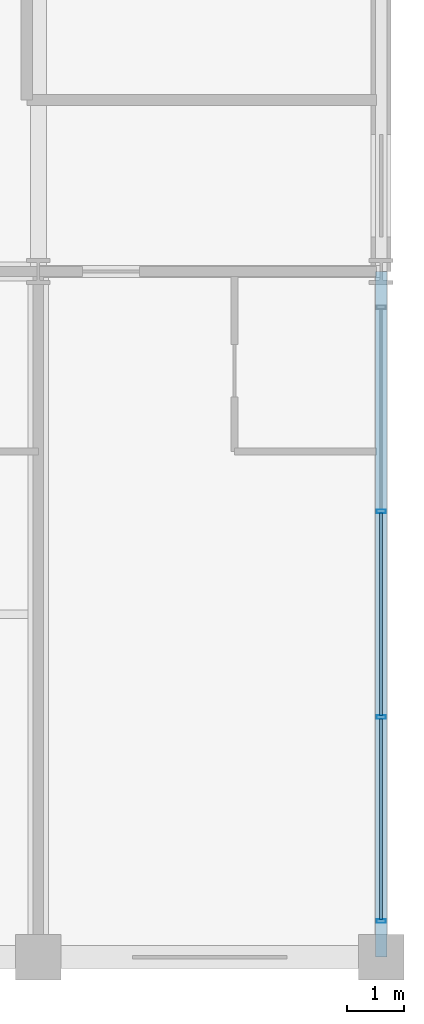
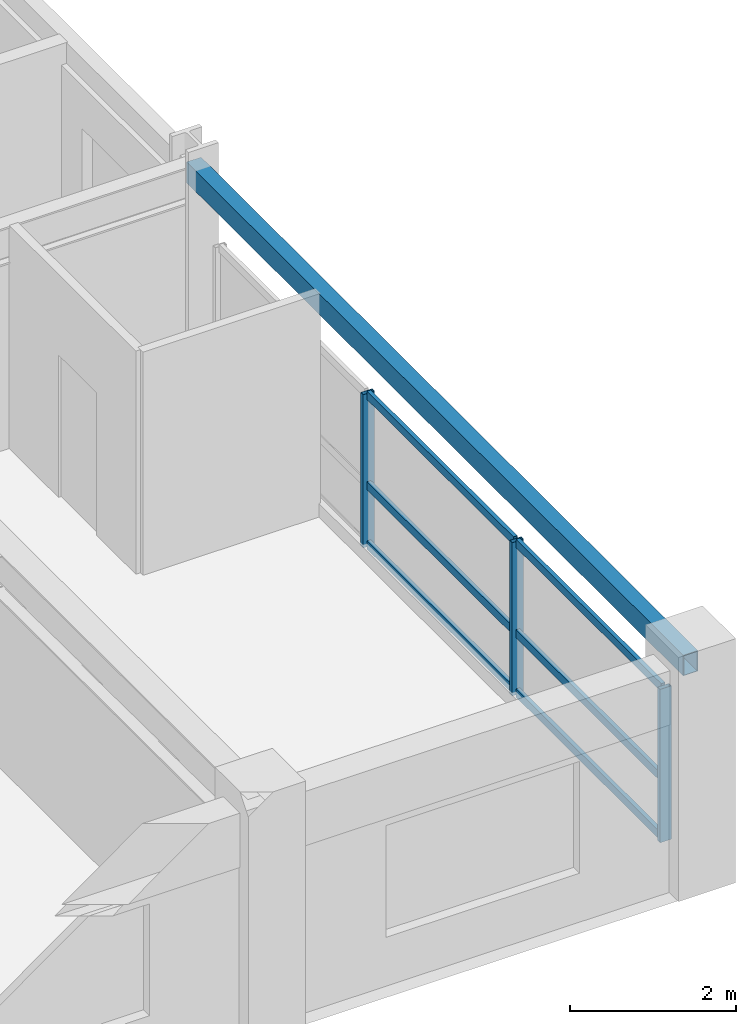
# One storey, part 10 of 26: 9 members, 1 beam, 1 element without a shape of its own.
"""IFC4 building model written with IfcOpenShell, lengths in metres."""

from ifc_helpers import new_model, si_unit, direction, frame, origin, origin_2d, place, context, subcontext, project, spatial, hollow_rectangle, extrude, material, material_profile, profile_set, type_object, element, aggregate, save


model = new_model("IFC4")

# Units and contexts
model_context = context("Model", 3, precision=1e-05, world=origin(), true_north=direction((0.0, 1.0)))
body_context = subcontext(model_context, "Body", "Model", "MODEL_VIEW")
ifc_project = project(units=[si_unit("LENGTHUNIT", "METRE"), si_unit("AREAUNIT", "SQUARE_METRE"), si_unit("VOLUMEUNIT", "CUBIC_METRE"), si_unit("PLANEANGLEUNIT", "RADIAN"), si_unit("MASSUNIT", "GRAM", prefix="KILO")], contexts=[model_context])

# Site, building, storey
site_placement = place(None, origin())
site = spatial("IfcSite", under=ifc_project, at=site_placement, CompositionType="ELEMENT")
building_placement = place(site_placement, origin())
building = spatial("IfcBuilding", under=site, at=building_placement, Name="Kaldorvane Square Convention Centre", CompositionType="ELEMENT")
storey_placement = place(building_placement, frame((0.0, 0.0, 42.0)))
storey = spatial("IfcBuildingStorey", under=building, at=storey_placement, Name="L09", CompositionType="ELEMENT", Elevation=42.0)

# Beam
ifc_material_1 = material(Name="Steel ASTM A500 Gr. C", Category="steel")
ifc_material_profile_1 = material_profile(ifc_material_1, hollow_rectangle(XDim=0.2032012939453125, YDim=0.3047943115234375, WallThickness=0.0088958740234375, at=origin_2d()), Name="HSS12X8X3/8")
ifc_profile_set_1 = profile_set([ifc_material_profile_1], Name="Steel ASTM A500 Gr. C")
beam_type = type_object("IfcBeamType", Name="BM-SP-HSS12", PredefinedType="SPANDREL", material=ifc_profile_set_1)
beam_placement = place(storey_placement, frame((84.0, 84.0, 3.13360595703125), z_axis=(0.0, 1.0, 0.0), x_axis=(-1.0, 0.0, 0.0)))
element("IfcBeam", 1, at=beam_placement, inside=storey, type_object=beam_type, Name="End Spandrel (L09)", PredefinedType="SPANDREL", context=body_context, shape_type="SweptSolid", body=[
    extrude(hollow_rectangle(XDim=0.2032012939453125, YDim=0.3047943115234375, WallThickness=0.0088958740234375, at=origin_2d()), origin(), (0.0, 0.0, 1.0), 12.0),
])

# Curtain wall, members
ifc_material_2 = material(Name="Anodized Aluminum and Low-E Insulated Glazing", Category="aluminium")
curtain_wall_type = type_object("IfcCurtainWallType", Name="CW-UNI-HTL-A", PredefinedType="USERDEFINED", material=ifc_material_2)
curtain_wall_placement = place(storey_placement, origin())
curtain_wall = element("IfcCurtainWall", 2, at=curtain_wall_placement, inside=storey, type_object=curtain_wall_type, Name="Curtain Wall CW-10 (L09)", ObjectType="UNITISED GLAZING", PredefinedType="USERDEFINED")
ifc_material_profile_2 = material_profile(ifc_material_2, hollow_rectangle(XDim=0.05999755859375, YDim=0.160003662109375, WallThickness=0.003204345703125, at=origin_2d()), Name="CWM-160X60")
ifc_profile_set_2 = profile_set([ifc_material_profile_2], Name="Anodized Aluminum and Low-E Insulated Glazing")
member_type_1 = type_object("IfcMemberType", Name="CW-MUL-160", PredefinedType="MULLION", material=ifc_profile_set_2)
member_1_placement = place(storey_placement, frame((84.0, 84.6300048828125, 0.149993896484375), z_axis=(0.0, 0.0, 1.0), x_axis=(0.0, 1.0, 0.0)))
member_1 = element("IfcMember", 3, at=member_1_placement, type_object=member_type_1, Name="CW-10 mullion 1", PredefinedType="MULLION", context=body_context, shape_type="SweptSolid", body=[
    extrude(hollow_rectangle(XDim=0.05999755859375, YDim=0.160003662109375, WallThickness=0.003204345703125, at=origin_2d()), origin(), (0.0, 0.0, 1.0), 2.260009765625),
])
member_2_placement = place(storey_placement, frame((84.0, 88.19999694824219, 0.149993896484375), z_axis=(0.0, 0.0, 1.0), x_axis=(0.0, 1.0, 0.0)))
member_2 = element("IfcMember", 4, at=member_2_placement, type_object=member_type_1, Name="CW-10 mullion 2", PredefinedType="MULLION", context=body_context, shape_type="SweptSolid", body=[
    extrude(hollow_rectangle(XDim=0.05999755859375, YDim=0.160003662109375, WallThickness=0.003204345703125, at=origin_2d()), origin(), (0.0, 0.0, 1.0), 2.260009765625),
])
member_3_placement = place(storey_placement, frame((84.0, 91.80000305175781, 0.149993896484375), z_axis=(0.0, 0.0, 1.0), x_axis=(0.0, 1.0, 0.0)))
member_3 = element("IfcMember", 5, at=member_3_placement, type_object=member_type_1, Name="CW-10 mullion 3", PredefinedType="MULLION", context=body_context, shape_type="SweptSolid", body=[
    extrude(hollow_rectangle(XDim=0.05999755859375, YDim=0.160003662109375, WallThickness=0.003204345703125, at=origin_2d()), origin(), (0.0, 0.0, 1.0), 2.260009765625),
])
ifc_material_profile_3 = material_profile(ifc_material_2, hollow_rectangle(XDim=0.05499267578125, YDim=0.1199951171875, WallThickness=0.0030059814453125, at=origin_2d()), Name="CWT-120X55")
ifc_profile_set_3 = profile_set([ifc_material_profile_3], Name="Anodized Aluminum and Low-E Insulated Glazing")
member_type_2 = type_object("IfcMemberType", Name="CW-TRN-120", PredefinedType="USERDEFINED", material=ifc_profile_set_3)
member_4_placement = place(storey_placement, frame((84.0, 84.66000366210938, 0.1775054931640625), z_axis=(0.0, 1.0, 0.0), x_axis=(-1.0, 0.0, 0.0)))
member_4 = element("IfcMember", 6, at=member_4_placement, type_object=member_type_2, Name="CW-10 transom 1.1", ObjectType="TRANSOM", PredefinedType="USERDEFINED", context=body_context, shape_type="SweptSolid", body=[
    extrude(hollow_rectangle(XDim=0.05499267578125, YDim=0.1199951171875, WallThickness=0.0030059814453125, at=origin_2d()), origin(), (0.0, 0.0, 1.0), 3.5099945068359375),
])
member_5_placement = place(storey_placement, frame((84.0, 84.66000366210938, 1.0500030517578125), z_axis=(0.0, 1.0, 0.0), x_axis=(-1.0, 0.0, 0.0)))
member_5 = element("IfcMember", 7, at=member_5_placement, type_object=member_type_2, Name="CW-10 transom 1.2", ObjectType="TRANSOM", PredefinedType="USERDEFINED", context=body_context, shape_type="SweptSolid", body=[
    extrude(hollow_rectangle(XDim=0.05499267578125, YDim=0.1199951171875, WallThickness=0.0030059814453125, at=origin_2d()), origin(), (0.0, 0.0, 1.0), 3.5099945068359375),
])
member_6_placement = place(storey_placement, frame((84.0, 84.66000366210938, 2.38250732421875), z_axis=(0.0, 1.0, 0.0), x_axis=(-1.0, 0.0, 0.0)))
member_6 = element("IfcMember", 8, at=member_6_placement, type_object=member_type_2, Name="CW-10 transom 1.3", ObjectType="TRANSOM", PredefinedType="USERDEFINED", context=body_context, shape_type="SweptSolid", body=[
    extrude(hollow_rectangle(XDim=0.05499267578125, YDim=0.1199951171875, WallThickness=0.0030059814453125, at=origin_2d()), origin(), (0.0, 0.0, 1.0), 3.5099945068359375),
])
member_7_placement = place(storey_placement, frame((84.0, 88.22999572753906, 0.1775054931640625), z_axis=(0.0, 1.0, 0.0), x_axis=(-1.0, 0.0, 0.0)))
member_7 = element("IfcMember", 9, at=member_7_placement, type_object=member_type_2, Name="CW-10 transom 2.1", ObjectType="TRANSOM", PredefinedType="USERDEFINED", context=body_context, shape_type="SweptSolid", body=[
    extrude(hollow_rectangle(XDim=0.05499267578125, YDim=0.1199951171875, WallThickness=0.0030059814453125, at=origin_2d()), origin(), (0.0, 0.0, 1.0), 3.540008544921875),
])
member_8_placement = place(storey_placement, frame((84.0, 88.22999572753906, 1.0500030517578125), z_axis=(0.0, 1.0, 0.0), x_axis=(-1.0, 0.0, 0.0)))
member_8 = element("IfcMember", 10, at=member_8_placement, type_object=member_type_2, Name="CW-10 transom 2.2", ObjectType="TRANSOM", PredefinedType="USERDEFINED", context=body_context, shape_type="SweptSolid", body=[
    extrude(hollow_rectangle(XDim=0.05499267578125, YDim=0.1199951171875, WallThickness=0.0030059814453125, at=origin_2d()), origin(), (0.0, 0.0, 1.0), 3.540008544921875),
])
member_9_placement = place(storey_placement, frame((84.0, 88.22999572753906, 2.38250732421875), z_axis=(0.0, 1.0, 0.0), x_axis=(-1.0, 0.0, 0.0)))
member_9 = element("IfcMember", 11, at=member_9_placement, type_object=member_type_2, Name="CW-10 transom 2.3", ObjectType="TRANSOM", PredefinedType="USERDEFINED", context=body_context, shape_type="SweptSolid", body=[
    extrude(hollow_rectangle(XDim=0.05499267578125, YDim=0.1199951171875, WallThickness=0.0030059814453125, at=origin_2d()), origin(), (0.0, 0.0, 1.0), 3.540008544921875),
])
aggregate(curtain_wall, [member_1, member_2, member_3, member_4, member_5, member_6, member_7, member_8, member_9])

save(model, "model.ifc")
